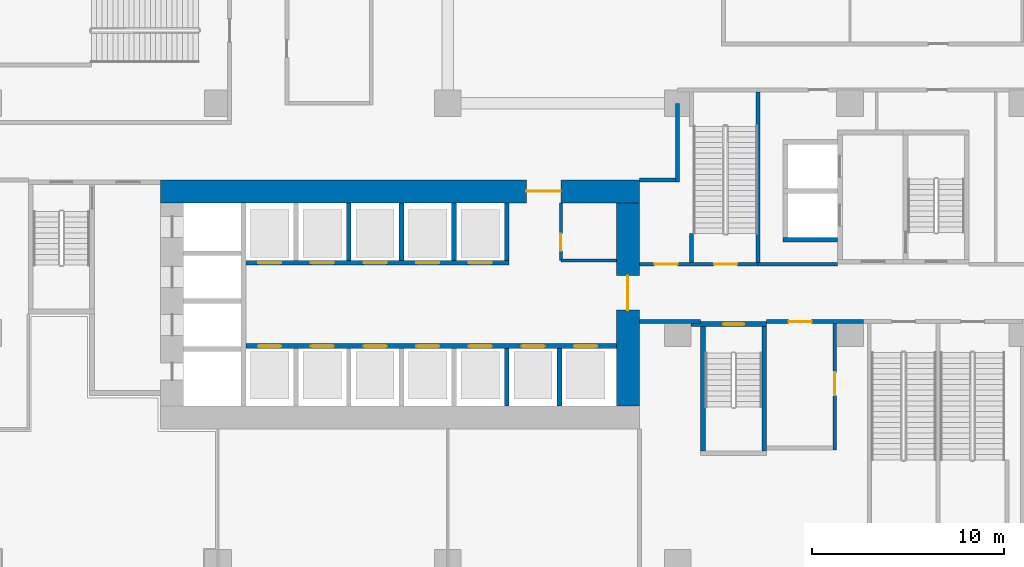
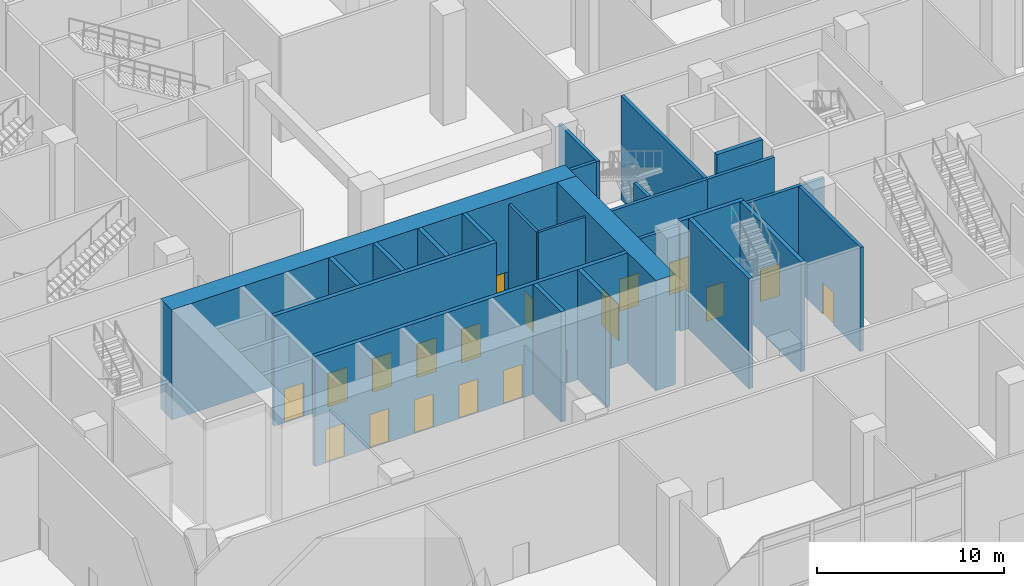
# One storey, part 20 of 34: 25 walls, 20 doors, 20 openings.
"""IFC4 building model written with IfcOpenShell, lengths in metres."""

from ifc_helpers import new_model, si_unit, direction, frame, frame_2d, origin, place, context, subcontext, project, spatial, rectangle, extrude, material, layer, layer_set, type_object, element, fill, save


model = new_model("IFC4")

# Units and contexts
model_context = context("Model", 3, precision=1e-05, world=origin(), true_north=direction((0.0, 1.0)))
body_context = subcontext(model_context, "Body", "Model", "MODEL_VIEW")
ifc_project = project(units=[si_unit("LENGTHUNIT", "METRE"), si_unit("AREAUNIT", "SQUARE_METRE"), si_unit("VOLUMEUNIT", "CUBIC_METRE"), si_unit("PLANEANGLEUNIT", "RADIAN"), si_unit("MASSUNIT", "GRAM", prefix="KILO")], contexts=[model_context])

# Site, building, storey
site_placement = place(None, origin())
site = spatial("IfcSite", under=ifc_project, at=site_placement, CompositionType="ELEMENT")
building_placement = place(site_placement, origin())
building = spatial("IfcBuilding", under=site, at=building_placement, Name="Chenar Terraces", CompositionType="ELEMENT")
storey_placement = place(building_placement, origin())
storey = spatial("IfcBuildingStorey", under=building, at=storey_placement, Name="L00", CompositionType="ELEMENT", Elevation=0.0)

# Wall, opening, door
ifc_material_1 = material(Name="Gypsum board on steel studs", Category="steel")
ifc_layer_1 = layer(ifc_material_1, 0.14990234375)
ifc_layer_set_1 = layer_set([ifc_layer_1], Name="Gypsum board on steel studs")
wall_type_1 = type_object("IfcWallType", Name="Core partition 150 gypsum board", PredefinedType="PARTITIONING", material=ifc_layer_set_1)
wall_1_placement = place(storey_placement, frame((29.89990234375, 15.800048828125, 0.0), z_axis=(0.0, 0.0, 1.0), x_axis=(0.0, 1.0, 0.0)))
wall_1 = element("IfcWall", 1, at=wall_1_placement, inside=storey, type_object=wall_type_1, Name="Core partition CP1 vestibule room west wall", PredefinedType="PARTITIONING", context=body_context, shape_type="SweptSolid", body=[
    extrude(rectangle(XDim=3.0, YDim=0.14990234375, at=frame_2d((1.5, 0.0))), origin(), (0.0, 0.0, 1.0), 6.800048828125),
])
opening_1_placement = place(wall_1_placement, frame((0.5, 0.0, 0.0)))
opening_1 = element("IfcOpeningElement", 2, at=opening_1_placement, cuts=wall_1, Name="Opening DL00-C12", PredefinedType="OPENING", context=body_context, shape_type="SweptSolid", body=[
    extrude(rectangle(XDim=0.89990234375, YDim=2.10009765625, at=frame_2d((0.449951171875, 1.050048828125))), frame((0.0, 0.0849609375, 0.0), z_axis=(0.0, -1.0, 0.0), x_axis=(1.0, 0.0, 0.0)), (0.0, 0.0, 1.0), 0.169921875),
])
ifc_material_2 = material(Name="Steel-framed fire-resisting door leaf", Category="steel")
door_type_1 = type_object("IfcDoorType", Name="Riser fire door FD60 900 x 2100", OperationType="SINGLE_SWING_LEFT", PredefinedType="DOOR", material=ifc_material_2)
door_1_placement = place(opening_1_placement, frame((0.89990234375, 0.0, 0.0), z_axis=(0.0, 0.0, 1.0), x_axis=(-1.0, 0.0, 0.0)))
door_1 = element("IfcDoor", 3, at=door_1_placement, inside=storey, type_object=door_type_1, Name="Core room door DL00-C12", OperationType="SINGLE_SWING_RIGHT", OverallHeight=2.10009765625, OverallWidth=0.89990234375, PredefinedType="DOOR", context=body_context, shape_type="SweptSolid", body=[
    extrude(rectangle(XDim=0.89990234375, YDim=2.10009765625, at=frame_2d((0.449951171875, 1.050048828125))), frame((0.0, 0.02490234375, 0.0), z_axis=(0.0, -1.0, 0.0), x_axis=(1.0, 0.0, 0.0)), (0.0, 0.0, 1.0), 0.050048828125),
])
fill(opening_1, door_1)

# Wall
wall_2_placement = place(storey_placement, frame((29.89990234375, 15.800048828125, 0.0), z_axis=(0.0, 0.0, 1.0), x_axis=(1.0, 0.0, 0.0)))
element("IfcWall", 4, at=wall_2_placement, inside=storey, type_object=wall_type_1, Name="Core partition CP1 vestibule room south wall", PredefinedType="PARTITIONING", context=body_context, shape_type="SweptSolid", body=[
    extrude(rectangle(XDim=2.900146484375, YDim=0.14990234375, at=frame_2d((1.4501953125, 0.0))), origin(), (0.0, 0.0, 1.0), 6.800048828125),
])

# Wall, opening, door
ifc_material_3 = material(Name="Concrete C70/85", Category="concrete")
ifc_layer_2 = layer(ifc_material_3, 1.199951171875)
ifc_layer_set_2 = layer_set([ifc_layer_2], Name="Concrete C70/85")
wall_type_2 = type_object("IfcWallType", Name="Core wall 1200 Concrete C70/85", PredefinedType="SHEAR", material=ifc_layer_set_2)
wall_3_placement = place(storey_placement, frame((9.0, 19.39990234375, 0.0), z_axis=(0.0, 0.0, 1.0), x_axis=(1.0, 0.0, 0.0)))
wall_3 = element("IfcWall", 5, at=wall_3_placement, inside=storey, type_object=wall_type_2, Name="Core wall N L00", PredefinedType="SHEAR", context=body_context, shape_type="SweptSolid", body=[
    extrude(rectangle(XDim=25.0, YDim=1.199951171875, at=frame_2d((12.5, 0.0))), origin(), (0.0, 0.0, 1.0), 7.199951171875),
])
opening_2_placement = place(wall_3_placement, frame((19.10009765625, 0.0, 0.0)))
opening_2 = element("IfcOpeningElement", 6, at=opening_2_placement, cuts=wall_3, Name="Opening DL00-C2", PredefinedType="OPENING", context=body_context, shape_type="SweptSolid", body=[
    extrude(rectangle(XDim=1.800048828125, YDim=2.39990234375, at=frame_2d((0.89990234375, 1.199951171875))), frame((0.0, 0.60986328125, 0.0), z_axis=(0.0, -1.0, 0.0), x_axis=(1.0, 0.0, 0.0)), (0.0, 0.0, 1.0), 1.219970703125),
])
ifc_material_4 = material(Name="Steel-framed fire-resisting door leaf", Category="steel")
door_type_2 = type_object("IfcDoorType", Name="Core entrance double fire door FD60 1800 x 2400", OperationType="DOUBLE_DOOR_SINGLE_SWING", PredefinedType="DOOR", material=ifc_material_4)
door_2_placement = place(opening_2_placement, origin())
door_2 = element("IfcDoor", 7, at=door_2_placement, inside=storey, type_object=door_type_2, Name="Core door DL00-C2", OperationType="DOUBLE_DOOR_SINGLE_SWING", OverallHeight=2.39990234375, OverallWidth=1.800048828125, PredefinedType="DOOR", context=body_context, shape_type="SweptSolid", body=[
    extrude(rectangle(XDim=1.800048828125, YDim=2.39990234375, at=frame_2d((0.89990234375, 1.199951171875))), frame((0.0, 0.02490234375, 0.0), z_axis=(0.0, -1.0, 0.0), x_axis=(1.0, 0.0, 0.0)), (0.0, 0.0, 1.0), 0.050048828125),
])
fill(opening_2, door_2)

wall_4_placement = place(storey_placement, frame((33.39990234375, 8.199951171875, 0.0), z_axis=(0.0, 0.0, 1.0), x_axis=(0.0, 1.0, 0.0)))
wall_4 = element("IfcWall", 8, at=wall_4_placement, inside=storey, type_object=wall_type_2, Name="Core wall E L00", PredefinedType="SHEAR", context=body_context, shape_type="SweptSolid", body=[
    extrude(rectangle(XDim=10.60009765625, YDim=1.199951171875, at=frame_2d((5.300048828125, 0.0))), origin(), (0.0, 0.0, 1.0), 7.199951171875),
])
opening_3_placement = place(wall_4_placement, frame((5.0, 0.0, 0.0)))
opening_3 = element("IfcOpeningElement", 9, at=opening_3_placement, cuts=wall_4, Name="Opening DL00-C1", PredefinedType="OPENING", context=body_context, shape_type="SweptSolid", body=[
    extrude(rectangle(XDim=1.800048828125, YDim=2.39990234375, at=frame_2d((0.89990234375, 1.199951171875))), frame((0.0, 0.60986328125, 0.0), z_axis=(0.0, -1.0, 0.0), x_axis=(1.0, 0.0, 0.0)), (0.0, 0.0, 1.0), 1.219970703125),
])
door_3_placement = place(opening_3_placement, origin())
door_3 = element("IfcDoor", 10, at=door_3_placement, inside=storey, type_object=door_type_2, Name="Core door DL00-C1", OperationType="DOUBLE_DOOR_SINGLE_SWING", OverallHeight=2.39990234375, OverallWidth=1.800048828125, PredefinedType="DOOR", context=body_context, shape_type="SweptSolid", body=[
    extrude(rectangle(XDim=1.800048828125, YDim=2.39990234375, at=frame_2d((0.89990234375, 1.199951171875))), frame((0.0, 0.02490234375, 0.0), z_axis=(0.0, -1.0, 0.0), x_axis=(1.0, 0.0, 0.0)), (0.0, 0.0, 1.0), 0.050048828125),
])
fill(opening_3, door_3)

# Wall, openings, doors
ifc_material_5 = material(Name="Concrete C70/85", Category="concrete")
ifc_layer_3 = layer(ifc_material_5, 0.25)
ifc_layer_set_3 = layer_set([ifc_layer_3], Name="Concrete C70/85")
wall_type_3 = type_object("IfcWallType", Name="Core wall 250 Concrete C70/85", PredefinedType="SHEAR", material=ifc_layer_set_3)
wall_5_placement = place(storey_placement, frame((13.449951171875, 11.324951171875, 0.0), z_axis=(0.0, 0.0, 1.0), x_axis=(1.0, 0.0, 0.0)))
wall_5 = element("IfcWall", 11, at=wall_5_placement, inside=storey, type_object=wall_type_3, Name="Core wall SF L00", PredefinedType="SHEAR", context=body_context, shape_type="SweptSolid", body=[
    extrude(rectangle(XDim=19.35009765625, YDim=0.25, at=frame_2d((9.675048828125, 0.0))), origin(), (0.0, 0.0, 1.0), 7.199951171875),
])
opening_4_placement = place(wall_5_placement, frame((0.64990234375, 0.0, 0.0)))
opening_4 = element("IfcOpeningElement", 12, at=opening_4_placement, cuts=wall_5, Name="Opening DL00-LD1", PredefinedType="OPENING", context=body_context, shape_type="SweptSolid", body=[
    extrude(rectangle(XDim=1.199951171875, YDim=2.199951171875, at=frame_2d((0.60009765625, 1.10009765625))), frame((0.0, 0.135009765625, 0.0), z_axis=(0.0, -1.0, 0.0), x_axis=(1.0, 0.0, 0.0)), (0.0, 0.0, 1.0), 0.27001953125),
])
opening_5_placement = place(wall_5_placement, frame((3.39990234375, 0.0, 0.0)))
opening_5 = element("IfcOpeningElement", 13, at=opening_5_placement, cuts=wall_5, Name="Opening DL00-LD2", PredefinedType="OPENING", context=body_context, shape_type="SweptSolid", body=[
    extrude(rectangle(XDim=1.199951171875, YDim=2.199951171875, at=frame_2d((0.60009765625, 1.10009765625))), frame((0.0, 0.135009765625, 0.0), z_axis=(0.0, -1.0, 0.0), x_axis=(1.0, 0.0, 0.0)), (0.0, 0.0, 1.0), 0.27001953125),
])
opening_6_placement = place(wall_5_placement, frame((6.14990234375, 0.0, 0.0)))
opening_6 = element("IfcOpeningElement", 14, at=opening_6_placement, cuts=wall_5, Name="Opening DL00-LD3", PredefinedType="OPENING", context=body_context, shape_type="SweptSolid", body=[
    extrude(rectangle(XDim=1.199951171875, YDim=2.199951171875, at=frame_2d((0.60009765625, 1.10009765625))), frame((0.0, 0.135009765625, 0.0), z_axis=(0.0, -1.0, 0.0), x_axis=(1.0, 0.0, 0.0)), (0.0, 0.0, 1.0), 0.27001953125),
])
opening_7_placement = place(wall_5_placement, frame((8.89990234375, 0.0, 0.0)))
opening_7 = element("IfcOpeningElement", 15, at=opening_7_placement, cuts=wall_5, Name="Opening DL00-LD4", PredefinedType="OPENING", context=body_context, shape_type="SweptSolid", body=[
    extrude(rectangle(XDim=1.199951171875, YDim=2.199951171875, at=frame_2d((0.60009765625, 1.10009765625))), frame((0.0, 0.135009765625, 0.0), z_axis=(0.0, -1.0, 0.0), x_axis=(1.0, 0.0, 0.0)), (0.0, 0.0, 1.0), 0.27001953125),
])
opening_8_placement = place(wall_5_placement, frame((11.64990234375, 0.0, 0.0)))
opening_8 = element("IfcOpeningElement", 16, at=opening_8_placement, cuts=wall_5, Name="Opening DL00-LD5", PredefinedType="OPENING", context=body_context, shape_type="SweptSolid", body=[
    extrude(rectangle(XDim=1.199951171875, YDim=2.199951171875, at=frame_2d((0.60009765625, 1.10009765625))), frame((0.0, 0.135009765625, 0.0), z_axis=(0.0, -1.0, 0.0), x_axis=(1.0, 0.0, 0.0)), (0.0, 0.0, 1.0), 0.27001953125),
])
opening_9_placement = place(wall_5_placement, frame((14.39990234375, 0.0, 0.0)))
opening_9 = element("IfcOpeningElement", 17, at=opening_9_placement, cuts=wall_5, Name="Opening DL00-LD6", PredefinedType="OPENING", context=body_context, shape_type="SweptSolid", body=[
    extrude(rectangle(XDim=1.199951171875, YDim=2.199951171875, at=frame_2d((0.60009765625, 1.10009765625))), frame((0.0, 0.135009765625, 0.0), z_axis=(0.0, -1.0, 0.0), x_axis=(1.0, 0.0, 0.0)), (0.0, 0.0, 1.0), 0.27001953125),
])
opening_10_placement = place(wall_5_placement, frame((17.14990234375, 0.0, 0.0)))
opening_10 = element("IfcOpeningElement", 18, at=opening_10_placement, cuts=wall_5, Name="Opening DL00-LD7", PredefinedType="OPENING", context=body_context, shape_type="SweptSolid", body=[
    extrude(rectangle(XDim=1.199951171875, YDim=2.199951171875, at=frame_2d((0.60009765625, 1.10009765625))), frame((0.0, 0.135009765625, 0.0), z_axis=(0.0, -1.0, 0.0), x_axis=(1.0, 0.0, 0.0)), (0.0, 0.0, 1.0), 0.27001953125),
])
ifc_material_6 = material(Name="Stainless steel", Category="steel")
door_type_3 = type_object("IfcDoorType", Name="Lift landing door 1200 x 2200 sliding", OperationType="DOUBLE_DOOR_SLIDING", PredefinedType="DOOR", material=ifc_material_6)
door_4_placement = place(opening_4_placement, origin())
door_4 = element("IfcDoor", 19, at=door_4_placement, inside=storey, type_object=door_type_3, Name="Landing door L1", OperationType="DOUBLE_DOOR_SLIDING", OverallHeight=2.199951171875, OverallWidth=1.199951171875, PredefinedType="DOOR", context=body_context, shape_type="SweptSolid", body=[
    extrude(rectangle(XDim=1.199951171875, YDim=2.199951171875, at=frame_2d((0.60009765625, 1.10009765625))), frame((0.0, 0.02490234375, 0.0), z_axis=(0.0, -1.0, 0.0), x_axis=(1.0, 0.0, 0.0)), (0.0, 0.0, 1.0), 0.050048828125),
])
fill(opening_4, door_4)
door_5_placement = place(opening_5_placement, origin())
door_5 = element("IfcDoor", 20, at=door_5_placement, inside=storey, type_object=door_type_3, Name="Landing door L2", OperationType="DOUBLE_DOOR_SLIDING", OverallHeight=2.199951171875, OverallWidth=1.199951171875, PredefinedType="DOOR", context=body_context, shape_type="SweptSolid", body=[
    extrude(rectangle(XDim=1.199951171875, YDim=2.199951171875, at=frame_2d((0.60009765625, 1.10009765625))), frame((0.0, 0.02490234375, 0.0), z_axis=(0.0, -1.0, 0.0), x_axis=(1.0, 0.0, 0.0)), (0.0, 0.0, 1.0), 0.050048828125),
])
fill(opening_5, door_5)
door_6_placement = place(opening_6_placement, origin())
door_6 = element("IfcDoor", 21, at=door_6_placement, inside=storey, type_object=door_type_3, Name="Landing door L3", OperationType="DOUBLE_DOOR_SLIDING", OverallHeight=2.199951171875, OverallWidth=1.199951171875, PredefinedType="DOOR", context=body_context, shape_type="SweptSolid", body=[
    extrude(rectangle(XDim=1.199951171875, YDim=2.199951171875, at=frame_2d((0.60009765625, 1.10009765625))), frame((0.0, 0.02490234375, 0.0), z_axis=(0.0, -1.0, 0.0), x_axis=(1.0, 0.0, 0.0)), (0.0, 0.0, 1.0), 0.050048828125),
])
fill(opening_6, door_6)
door_7_placement = place(opening_7_placement, origin())
door_7 = element("IfcDoor", 22, at=door_7_placement, inside=storey, type_object=door_type_3, Name="Landing door L4", OperationType="DOUBLE_DOOR_SLIDING", OverallHeight=2.199951171875, OverallWidth=1.199951171875, PredefinedType="DOOR", context=body_context, shape_type="SweptSolid", body=[
    extrude(rectangle(XDim=1.199951171875, YDim=2.199951171875, at=frame_2d((0.60009765625, 1.10009765625))), frame((0.0, 0.02490234375, 0.0), z_axis=(0.0, -1.0, 0.0), x_axis=(1.0, 0.0, 0.0)), (0.0, 0.0, 1.0), 0.050048828125),
])
fill(opening_7, door_7)
door_8_placement = place(opening_8_placement, origin())
door_8 = element("IfcDoor", 23, at=door_8_placement, inside=storey, type_object=door_type_3, Name="Landing door M1", OperationType="DOUBLE_DOOR_SLIDING", OverallHeight=2.199951171875, OverallWidth=1.199951171875, PredefinedType="DOOR", context=body_context, shape_type="SweptSolid", body=[
    extrude(rectangle(XDim=1.199951171875, YDim=2.199951171875, at=frame_2d((0.60009765625, 1.10009765625))), frame((0.0, 0.02490234375, 0.0), z_axis=(0.0, -1.0, 0.0), x_axis=(1.0, 0.0, 0.0)), (0.0, 0.0, 1.0), 0.050048828125),
])
fill(opening_8, door_8)
door_9_placement = place(opening_9_placement, origin())
door_9 = element("IfcDoor", 24, at=door_9_placement, inside=storey, type_object=door_type_3, Name="Landing door M2", OperationType="DOUBLE_DOOR_SLIDING", OverallHeight=2.199951171875, OverallWidth=1.199951171875, PredefinedType="DOOR", context=body_context, shape_type="SweptSolid", body=[
    extrude(rectangle(XDim=1.199951171875, YDim=2.199951171875, at=frame_2d((0.60009765625, 1.10009765625))), frame((0.0, 0.02490234375, 0.0), z_axis=(0.0, -1.0, 0.0), x_axis=(1.0, 0.0, 0.0)), (0.0, 0.0, 1.0), 0.050048828125),
])
fill(opening_9, door_9)
door_10_placement = place(opening_10_placement, origin())
door_10 = element("IfcDoor", 25, at=door_10_placement, inside=storey, type_object=door_type_3, Name="Landing door M3", OperationType="DOUBLE_DOOR_SLIDING", OverallHeight=2.199951171875, OverallWidth=1.199951171875, PredefinedType="DOOR", context=body_context, shape_type="SweptSolid", body=[
    extrude(rectangle(XDim=1.199951171875, YDim=2.199951171875, at=frame_2d((0.60009765625, 1.10009765625))), frame((0.0, 0.02490234375, 0.0), z_axis=(0.0, -1.0, 0.0), x_axis=(1.0, 0.0, 0.0)), (0.0, 0.0, 1.0), 0.050048828125),
])
fill(opening_10, door_10)

wall_6_placement = place(storey_placement, frame((13.449951171875, 15.675048828125, 0.0), z_axis=(0.0, 0.0, 1.0), x_axis=(1.0, 0.0, 0.0)))
wall_6 = element("IfcWall", 26, at=wall_6_placement, inside=storey, type_object=wall_type_3, Name="Core wall NF L00", PredefinedType="SHEAR", context=body_context, shape_type="SweptSolid", body=[
    extrude(rectangle(XDim=13.75, YDim=0.25, at=frame_2d((6.875, 0.0))), origin(), (0.0, 0.0, 1.0), 7.199951171875),
])
opening_11_placement = place(wall_6_placement, frame((11.64990234375, 0.0, 0.0)))
opening_11 = element("IfcOpeningElement", 27, at=opening_11_placement, cuts=wall_6, Name="Opening DL00-LD8", PredefinedType="OPENING", context=body_context, shape_type="SweptSolid", body=[
    extrude(rectangle(XDim=1.199951171875, YDim=2.199951171875, at=frame_2d((0.60009765625, 1.10009765625))), frame((0.0, 0.135009765625, 0.0), z_axis=(0.0, -1.0, 0.0), x_axis=(1.0, 0.0, 0.0)), (0.0, 0.0, 1.0), 0.27001953125),
])
opening_12_placement = place(wall_6_placement, frame((0.64990234375, 0.0, 0.0)))
opening_12 = element("IfcOpeningElement", 28, at=opening_12_placement, cuts=wall_6, Name="Opening DL00-LD9", PredefinedType="OPENING", context=body_context, shape_type="SweptSolid", body=[
    extrude(rectangle(XDim=1.199951171875, YDim=2.199951171875, at=frame_2d((0.60009765625, 1.10009765625))), frame((0.0, 0.135009765625, 0.0), z_axis=(0.0, -1.0, 0.0), x_axis=(1.0, 0.0, 0.0)), (0.0, 0.0, 1.0), 0.27001953125),
])
opening_13_placement = place(wall_6_placement, frame((3.39990234375, 0.0, 0.0)))
opening_13 = element("IfcOpeningElement", 29, at=opening_13_placement, cuts=wall_6, Name="Opening DL00-LD10", PredefinedType="OPENING", context=body_context, shape_type="SweptSolid", body=[
    extrude(rectangle(XDim=1.199951171875, YDim=2.199951171875, at=frame_2d((0.60009765625, 1.10009765625))), frame((0.0, 0.135009765625, 0.0), z_axis=(0.0, -1.0, 0.0), x_axis=(1.0, 0.0, 0.0)), (0.0, 0.0, 1.0), 0.27001953125),
])
opening_14_placement = place(wall_6_placement, frame((6.14990234375, 0.0, 0.0)))
opening_14 = element("IfcOpeningElement", 30, at=opening_14_placement, cuts=wall_6, Name="Opening DL00-LD11", PredefinedType="OPENING", context=body_context, shape_type="SweptSolid", body=[
    extrude(rectangle(XDim=1.199951171875, YDim=2.199951171875, at=frame_2d((0.60009765625, 1.10009765625))), frame((0.0, 0.135009765625, 0.0), z_axis=(0.0, -1.0, 0.0), x_axis=(1.0, 0.0, 0.0)), (0.0, 0.0, 1.0), 0.27001953125),
])
opening_15_placement = place(wall_6_placement, frame((8.89990234375, 0.0, 0.0)))
opening_15 = element("IfcOpeningElement", 31, at=opening_15_placement, cuts=wall_6, Name="Opening DL00-LD12", PredefinedType="OPENING", context=body_context, shape_type="SweptSolid", body=[
    extrude(rectangle(XDim=1.199951171875, YDim=2.199951171875, at=frame_2d((0.60009765625, 1.10009765625))), frame((0.0, 0.135009765625, 0.0), z_axis=(0.0, -1.0, 0.0), x_axis=(1.0, 0.0, 0.0)), (0.0, 0.0, 1.0), 0.27001953125),
])
door_11_placement = place(opening_11_placement, origin())
door_11 = element("IfcDoor", 32, at=door_11_placement, inside=storey, type_object=door_type_3, Name="Landing door M4", OperationType="DOUBLE_DOOR_SLIDING", OverallHeight=2.199951171875, OverallWidth=1.199951171875, PredefinedType="DOOR", context=body_context, shape_type="SweptSolid", body=[
    extrude(rectangle(XDim=1.199951171875, YDim=2.199951171875, at=frame_2d((0.60009765625, 1.10009765625))), frame((0.0, 0.02490234375, 0.0), z_axis=(0.0, -1.0, 0.0), x_axis=(1.0, 0.0, 0.0)), (0.0, 0.0, 1.0), 0.050048828125),
])
fill(opening_11, door_11)
door_12_placement = place(opening_12_placement, origin())
door_12 = element("IfcDoor", 33, at=door_12_placement, inside=storey, type_object=door_type_3, Name="Landing door H1", OperationType="DOUBLE_DOOR_SLIDING", OverallHeight=2.199951171875, OverallWidth=1.199951171875, PredefinedType="DOOR", context=body_context, shape_type="SweptSolid", body=[
    extrude(rectangle(XDim=1.199951171875, YDim=2.199951171875, at=frame_2d((0.60009765625, 1.10009765625))), frame((0.0, 0.02490234375, 0.0), z_axis=(0.0, -1.0, 0.0), x_axis=(1.0, 0.0, 0.0)), (0.0, 0.0, 1.0), 0.050048828125),
])
fill(opening_12, door_12)
door_13_placement = place(opening_13_placement, origin())
door_13 = element("IfcDoor", 34, at=door_13_placement, inside=storey, type_object=door_type_3, Name="Landing door H2", OperationType="DOUBLE_DOOR_SLIDING", OverallHeight=2.199951171875, OverallWidth=1.199951171875, PredefinedType="DOOR", context=body_context, shape_type="SweptSolid", body=[
    extrude(rectangle(XDim=1.199951171875, YDim=2.199951171875, at=frame_2d((0.60009765625, 1.10009765625))), frame((0.0, 0.02490234375, 0.0), z_axis=(0.0, -1.0, 0.0), x_axis=(1.0, 0.0, 0.0)), (0.0, 0.0, 1.0), 0.050048828125),
])
fill(opening_13, door_13)
door_14_placement = place(opening_14_placement, origin())
door_14 = element("IfcDoor", 35, at=door_14_placement, inside=storey, type_object=door_type_3, Name="Landing door H3", OperationType="DOUBLE_DOOR_SLIDING", OverallHeight=2.199951171875, OverallWidth=1.199951171875, PredefinedType="DOOR", context=body_context, shape_type="SweptSolid", body=[
    extrude(rectangle(XDim=1.199951171875, YDim=2.199951171875, at=frame_2d((0.60009765625, 1.10009765625))), frame((0.0, 0.02490234375, 0.0), z_axis=(0.0, -1.0, 0.0), x_axis=(1.0, 0.0, 0.0)), (0.0, 0.0, 1.0), 0.050048828125),
])
fill(opening_14, door_14)
door_15_placement = place(opening_15_placement, origin())
door_15 = element("IfcDoor", 36, at=door_15_placement, inside=storey, type_object=door_type_3, Name="Landing door H4", OperationType="DOUBLE_DOOR_SLIDING", OverallHeight=2.199951171875, OverallWidth=1.199951171875, PredefinedType="DOOR", context=body_context, shape_type="SweptSolid", body=[
    extrude(rectangle(XDim=1.199951171875, YDim=2.199951171875, at=frame_2d((0.60009765625, 1.10009765625))), frame((0.0, 0.02490234375, 0.0), z_axis=(0.0, -1.0, 0.0), x_axis=(1.0, 0.0, 0.0)), (0.0, 0.0, 1.0), 0.050048828125),
])
fill(opening_15, door_15)

# Walls
for number, where, z_axis, x_axis, name in (
    (37, (27.074951171875, 8.199951171875, 0.0), (0.0, 0.0, 1.0), (0.0, 1.0, 0.0), "Core wall SS4 L00"),
    (38, (29.824951171875, 8.199951171875, 0.0), (0.0, 0.0, 1.0), (0.0, 1.0, 0.0), "Core wall SS5 L00"),
    (39, (18.824951171875, 15.800048828125, 0.0), (0.0, 0.0, 1.0), (0.0, 1.0, 0.0), "Core wall NS1 L00"),
    (40, (21.574951171875, 15.800048828125, 0.0), (0.0, 0.0, 1.0), (0.0, 1.0, 0.0), "Core wall NS2 L00"),
    (41, (24.324951171875, 15.800048828125, 0.0), (0.0, 0.0, 1.0), (0.0, 1.0, 0.0), "Core wall NS3 L00"),
    (42, (27.074951171875, 15.800048828125, 0.0), (0.0, 0.0, 1.0), (0.0, 1.0, 0.0), "Core wall NE L00"),
):
    element("IfcWall", number, at=place(storey_placement, frame(where, z_axis=z_axis, x_axis=x_axis)), inside=storey, type_object=wall_type_3, Name=name, PredefinedType="SHEAR", context=body_context, shape_type="SweptSolid", body=[
        extrude(rectangle(XDim=3.0, YDim=0.25, at=frame_2d((1.5, 0.0))), origin(), (0.0, 0.0, 1.0), 7.199951171875),
    ])

# Wall, opening, door
wall_7_placement = place(storey_placement, frame((36.699951171875, 12.47509765625, 0.0), z_axis=(0.0, 0.0, 1.0), x_axis=(1.0, 0.0, 0.0)))
wall_7 = element("IfcWall", 43, at=wall_7_placement, inside=storey, type_object=wall_type_3, Name="Core wall ST2_N L00", PredefinedType="SHEAR", context=body_context, shape_type="SweptSolid", body=[
    extrude(rectangle(XDim=3.949951171875, YDim=0.25, at=frame_2d((1.97509765625, 0.0))), origin(), (0.0, 0.0, 1.0), 7.199951171875),
])
opening_16_placement = place(wall_7_placement, frame((1.675048828125, 0.0, 0.0)))
opening_16 = element("IfcOpeningElement", 44, at=opening_16_placement, cuts=wall_7, Name="Opening DL00-C7", PredefinedType="OPENING", context=body_context, shape_type="SweptSolid", body=[
    extrude(rectangle(XDim=1.10009765625, YDim=2.199951171875, at=frame_2d((0.550048828125, 1.10009765625))), frame((0.0, 0.135009765625, 0.0), z_axis=(0.0, -1.0, 0.0), x_axis=(1.0, 0.0, 0.0)), (0.0, 0.0, 1.0), 0.27001953125),
])
ifc_material_7 = material(Name="Steel-framed fire-resisting door leaf", Category="steel")
door_type_4 = type_object("IfcDoorType", Name="Stair fire door FD60 1100 x 2200", OperationType="SINGLE_SWING_LEFT", PredefinedType="DOOR", material=ifc_material_7)
door_16_placement = place(opening_16_placement, frame((1.10009765625, 0.0, 0.0), z_axis=(0.0, 0.0, 1.0), x_axis=(-1.0, 0.0, 0.0)))
door_16 = element("IfcDoor", 45, at=door_16_placement, inside=storey, type_object=door_type_4, Name="Stair door DL00-C7", OperationType="SINGLE_SWING_RIGHT", OverallHeight=2.199951171875, OverallWidth=1.10009765625, PredefinedType="DOOR", context=body_context, shape_type="SweptSolid", body=[
    extrude(rectangle(XDim=1.10009765625, YDim=2.199951171875, at=frame_2d((0.550048828125, 1.10009765625))), frame((0.0, 0.02490234375, 0.0), z_axis=(0.0, -1.0, 0.0), x_axis=(1.0, 0.0, 0.0)), (0.0, 0.0, 1.0), 0.050048828125),
])
fill(opening_16, door_16)

# Walls
for number, where, z_axis, x_axis, name in (
    (46, (37.324951171875, 5.85009765625, 0.0), (0.0, 0.0, 1.0), (0.0, 1.0, 0.0), "Core wall ST2_W L00"),
    (47, (40.52490234375, 5.85009765625, 0.0), (0.0, 0.0, 1.0), (0.0, 1.0, 0.0), "Core wall ST2_E L00"),
):
    element("IfcWall", number, at=place(storey_placement, frame(where, z_axis=z_axis, x_axis=x_axis)), inside=storey, type_object=wall_type_3, Name=name, PredefinedType="SHEAR", context=body_context, shape_type="SweptSolid", body=[
        extrude(rectangle(XDim=6.5, YDim=0.25, at=frame_2d((3.25, 0.0))), origin(), (0.0, 0.0, 1.0), 7.199951171875),
    ])
wall_8_placement = place(storey_placement, frame((41.5, 16.875, 0.0), z_axis=(0.0, 0.0, 1.0), x_axis=(1.0, 0.0, 0.0)))
element("IfcWall", 48, at=wall_8_placement, inside=storey, type_object=wall_type_3, Name="Core wall F3_SS L00", PredefinedType="SHEAR", context=body_context, shape_type="SweptSolid", body=[
    extrude(rectangle(XDim=2.85009765625, YDim=0.25, at=frame_2d((1.425048828125, 0.0))), origin(), (0.0, 0.0, 1.0), 7.199951171875),
])
ifc_material_8 = material(Name="Gypsum board on steel studs with fire boards", Category="steel")
ifc_layer_4 = layer(ifc_material_8, 0.199951171875)
ifc_layer_set_4 = layer_set([ifc_layer_4], Name="Gypsum board on steel studs with fire boards")
wall_type_4 = type_object("IfcWallType", Name="Corridor wall 200", PredefinedType="PARTITIONING", material=ifc_layer_set_4)
wall_9_placement = place(storey_placement, frame((34.0, 12.60009765625, 0.0), z_axis=(0.0, 0.0, 1.0), x_axis=(1.0, 0.0, 0.0)))
element("IfcWall", 49, at=wall_9_placement, inside=storey, type_object=wall_type_4, Name="Partition L00-085", PredefinedType="PARTITIONING", context=body_context, shape_type="SweptSolid", body=[
    extrude(rectangle(XDim=3.199951171875, YDim=0.199951171875, at=frame_2d((1.60009765625, 0.0))), origin(), (0.0, 0.0, 1.0), 6.800048828125),
])
wall_10_placement = place(storey_placement, frame((40.199951171875, 15.60009765625, 0.0), z_axis=(0.0, 0.0, 1.0), x_axis=(1.0, 0.0, 0.0)))
element("IfcWall", 50, at=wall_10_placement, inside=storey, type_object=wall_type_4, Name="Partition L00-096", PredefinedType="PARTITIONING", context=body_context, shape_type="SweptSolid", body=[
    extrude(rectangle(XDim=4.150146484375, YDim=0.199951171875, at=frame_2d((2.0751953125, 0.0))), origin(), (0.0, 0.0, 1.0), 6.800048828125),
])

# Wall, opening, door
wall_11_placement = place(storey_placement, frame((40.64990234375, 12.60009765625, 0.0), z_axis=(0.0, 0.0, 1.0), x_axis=(1.0, 0.0, 0.0)))
wall_11 = element("IfcWall", 51, at=wall_11_placement, inside=storey, type_object=wall_type_4, Name="Partition L00-101", PredefinedType="PARTITIONING", context=body_context, shape_type="SweptSolid", body=[
    extrude(rectangle(XDim=5.050048828125, YDim=0.199951171875, at=frame_2d((2.52490234375, 0.0))), origin(), (0.0, 0.0, 1.0), 6.800048828125),
])
opening_17_placement = place(wall_11_placement, frame((1.14990234375, 0.0, 0.0)))
opening_17 = element("IfcOpeningElement", 52, at=opening_17_placement, cuts=wall_11, Name="Opening DL00-43", PredefinedType="OPENING", context=body_context, shape_type="SweptSolid", body=[
    extrude(rectangle(XDim=1.199951171875, YDim=2.10009765625, at=frame_2d((0.60009765625, 1.050048828125))), frame((0.0, 0.10986328125, 0.0), z_axis=(0.0, -1.0, 0.0), x_axis=(1.0, 0.0, 0.0)), (0.0, 0.0, 1.0), 0.219970703125),
])
ifc_material_9 = material(Name="Steel-framed fire-resisting door leaf", Category="steel")
door_type_5 = type_object("IfcDoorType", Name="Fire door FD60 1200 x 2100", OperationType="SINGLE_SWING_LEFT", PredefinedType="DOOR", material=ifc_material_9)
door_17_placement = place(opening_17_placement, frame((1.199951171875, 0.0, 0.0), z_axis=(0.0, 0.0, 1.0), x_axis=(-1.0, 0.0, 0.0)))
door_17 = element("IfcDoor", 53, at=door_17_placement, inside=storey, type_object=door_type_5, Name="Door DL00-43", OperationType="SINGLE_SWING_LEFT", OverallHeight=2.10009765625, OverallWidth=1.199951171875, PredefinedType="DOOR", context=body_context, shape_type="SweptSolid", body=[
    extrude(rectangle(XDim=1.199951171875, YDim=2.10009765625, at=frame_2d((0.60009765625, 1.050048828125))), frame((0.0, 0.02490234375, 0.0), z_axis=(0.0, -1.0, 0.0), x_axis=(1.0, 0.0, 0.0)), (0.0, 0.0, 1.0), 0.050048828125),
])
fill(opening_17, door_17)

wall_12_placement = place(storey_placement, frame((44.199951171875, 5.89990234375, 0.0), z_axis=(0.0, 0.0, 1.0), x_axis=(0.0, 1.0, 0.0)))
wall_12 = element("IfcWall", 54, at=wall_12_placement, inside=storey, type_object=wall_type_4, Name="Partition L00-102", PredefinedType="PARTITIONING", context=body_context, shape_type="SweptSolid", body=[
    extrude(rectangle(XDim=6.60009765625, YDim=0.199951171875, at=frame_2d((3.300048828125, 0.0))), origin(), (0.0, 0.0, 1.0), 6.800048828125),
])
opening_18_placement = place(wall_12_placement, frame((2.85009765625, 0.0, 0.0)))
opening_18 = element("IfcOpeningElement", 55, at=opening_18_placement, cuts=wall_12, Name="Opening DL00-42", PredefinedType="OPENING", context=body_context, shape_type="SweptSolid", body=[
    extrude(rectangle(XDim=1.199951171875, YDim=2.10009765625, at=frame_2d((0.60009765625, 1.050048828125))), frame((0.0, 0.10986328125, 0.0), z_axis=(0.0, -1.0, 0.0), x_axis=(1.0, 0.0, 0.0)), (0.0, 0.0, 1.0), 0.219970703125),
])
door_18_placement = place(opening_18_placement, origin())
door_18 = element("IfcDoor", 56, at=door_18_placement, inside=storey, type_object=door_type_5, Name="Door DL00-42", OperationType="SINGLE_SWING_RIGHT", OverallHeight=2.10009765625, OverallWidth=1.199951171875, PredefinedType="DOOR", context=body_context, shape_type="SweptSolid", body=[
    extrude(rectangle(XDim=1.199951171875, YDim=2.10009765625, at=frame_2d((0.60009765625, 1.050048828125))), frame((0.0, 0.02490234375, 0.0), z_axis=(0.0, -1.0, 0.0), x_axis=(1.0, 0.0, 0.0)), (0.0, 0.0, 1.0), 0.050048828125),
])
fill(opening_18, door_18)

# Wall, openings, doors
ifc_material_10 = material(Name="Reinforced concrete C40/50", Category="concrete")
ifc_layer_5 = layer(ifc_material_10, 0.199951171875)
ifc_layer_set_5 = layer_set([ifc_layer_5], Name="Reinforced concrete C40/50")
wall_type_5 = type_object("IfcWallType", Name="Stair enclosure wall 200 concrete", PredefinedType="SOLIDWALL", material=ifc_layer_set_5)
wall_13_placement = place(storey_placement, frame((34.0, 15.60009765625, 0.0), z_axis=(0.0, 0.0, 1.0), x_axis=(1.0, 0.0, 0.0)))
wall_13 = element("IfcWall", 57, at=wall_13_placement, inside=storey, type_object=wall_type_5, Name="Stair enclosure wall L00-086", PredefinedType="SOLIDWALL", context=body_context, shape_type="SweptSolid", body=[
    extrude(rectangle(XDim=6.199951171875, YDim=0.199951171875, at=frame_2d((3.10009765625, 0.0))), origin(), (0.0, 0.0, 1.0), 6.800048828125),
])
opening_19_placement = place(wall_13_placement, frame((3.89990234375, 0.0, 0.0)))
opening_19 = element("IfcOpeningElement", 58, at=opening_19_placement, cuts=wall_13, Name="Opening DL00-83", PredefinedType="OPENING", context=body_context, shape_type="SweptSolid", body=[
    extrude(rectangle(XDim=1.199951171875, YDim=2.10009765625, at=frame_2d((0.60009765625, 1.050048828125))), frame((0.0, 0.10986328125, 0.0), z_axis=(0.0, -1.0, 0.0), x_axis=(1.0, 0.0, 0.0)), (0.0, 0.0, 1.0), 0.219970703125),
])
opening_20_placement = place(wall_13_placement, frame((0.800048828125, 0.0, 0.0)))
opening_20 = element("IfcOpeningElement", 59, at=opening_20_placement, cuts=wall_13, Name="Opening DL00-84", PredefinedType="OPENING", context=body_context, shape_type="SweptSolid", body=[
    extrude(rectangle(XDim=1.199951171875, YDim=2.10009765625, at=frame_2d((0.60009765625, 1.050048828125))), frame((0.0, 0.10986328125, 0.0), z_axis=(0.0, -1.0, 0.0), x_axis=(1.0, 0.0, 0.0)), (0.0, 0.0, 1.0), 0.219970703125),
])
ifc_material_11 = material(Name="Steel-framed fire-resisting door leaf", Category="steel")
door_type_6 = type_object("IfcDoorType", Name="Fire door FD120 1200 x 2100", OperationType="SINGLE_SWING_LEFT", PredefinedType="DOOR", material=ifc_material_11)
door_19_placement = place(opening_19_placement, origin())
door_19 = element("IfcDoor", 60, at=door_19_placement, inside=storey, type_object=door_type_6, Name="Door DL00-83", OperationType="SINGLE_SWING_RIGHT", OverallHeight=2.10009765625, OverallWidth=1.199951171875, PredefinedType="DOOR", context=body_context, shape_type="SweptSolid", body=[
    extrude(rectangle(XDim=1.199951171875, YDim=2.10009765625, at=frame_2d((0.60009765625, 1.050048828125))), frame((0.0, 0.02490234375, 0.0), z_axis=(0.0, -1.0, 0.0), x_axis=(1.0, 0.0, 0.0)), (0.0, 0.0, 1.0), 0.050048828125),
])
fill(opening_19, door_19)
door_20_placement = place(opening_20_placement, origin())
door_20 = element("IfcDoor", 61, at=door_20_placement, inside=storey, type_object=door_type_6, Name="Door DL00-84", OperationType="SINGLE_SWING_LEFT", OverallHeight=2.10009765625, OverallWidth=1.199951171875, PredefinedType="DOOR", context=body_context, shape_type="SweptSolid", body=[
    extrude(rectangle(XDim=1.199951171875, YDim=2.10009765625, at=frame_2d((0.60009765625, 1.050048828125))), frame((0.0, 0.02490234375, 0.0), z_axis=(0.0, -1.0, 0.0), x_axis=(1.0, 0.0, 0.0)), (0.0, 0.0, 1.0), 0.050048828125),
])
fill(opening_20, door_20)

# Walls
wall_14_placement = place(storey_placement, frame((34.0, 20.0, 0.0), z_axis=(0.0, 0.0, 1.0), x_axis=(1.0, 0.0, 0.0)))
element("IfcWall", 62, at=wall_14_placement, inside=storey, type_object=wall_type_5, Name="Stair enclosure wall L00-087", PredefinedType="SOLIDWALL", context=body_context, shape_type="SweptSolid", body=[
    extrude(rectangle(XDim=1.89990234375, YDim=0.199951171875, at=frame_2d((0.949951171875, 0.0))), origin(), (0.0, 0.0, 1.0), 6.800048828125),
])
wall_15_placement = place(storey_placement, frame((36.0, 19.89990234375, 0.0), z_axis=(0.0, 0.0, 1.0), x_axis=(0.0, 1.0, 0.0)))
element("IfcWall", 63, at=wall_15_placement, inside=storey, type_object=wall_type_5, Name="Stair enclosure wall L00-089", PredefinedType="SOLIDWALL", context=body_context, shape_type="SweptSolid", body=[
    extrude(rectangle(XDim=4.10009765625, YDim=0.199951171875, at=frame_2d((2.050048828125, 0.0))), origin(), (0.0, 0.0, 1.0), 6.800048828125),
])
wall_16_placement = place(storey_placement, frame((40.199951171875, 15.699951171875, 0.0), z_axis=(0.0, 0.0, 1.0), x_axis=(0.0, 1.0, 0.0)))
element("IfcWall", 64, at=wall_16_placement, inside=storey, type_object=wall_type_5, Name="Stair enclosure wall L00-097", PredefinedType="SOLIDWALL", context=body_context, shape_type="SweptSolid", body=[
    extrude(rectangle(XDim=8.900146484375, YDim=0.199951171875, at=frame_2d((4.4501953125, 0.0))), origin(), (0.0, 0.0, 1.0), 6.800048828125),
])
wall_17_placement = place(storey_placement, frame((36.715087890625, 15.699951171875, 0.0), z_axis=(0.0, 0.0, 1.0), x_axis=(0.0, 1.0, 0.0)))
element("IfcWall", 65, at=wall_17_placement, inside=storey, type_object=wall_type_5, Name="Stair enclosure wall L00-PS1-012", PredefinedType="SOLIDWALL", context=body_context, shape_type="SweptSolid", body=[
    extrude(rectangle(XDim=1.5, YDim=0.199951171875, at=frame_2d((0.75, 0.0))), origin(), (0.0, 0.0, 1.0), 6.800048828125),
])

save(model, "model.ifc")
